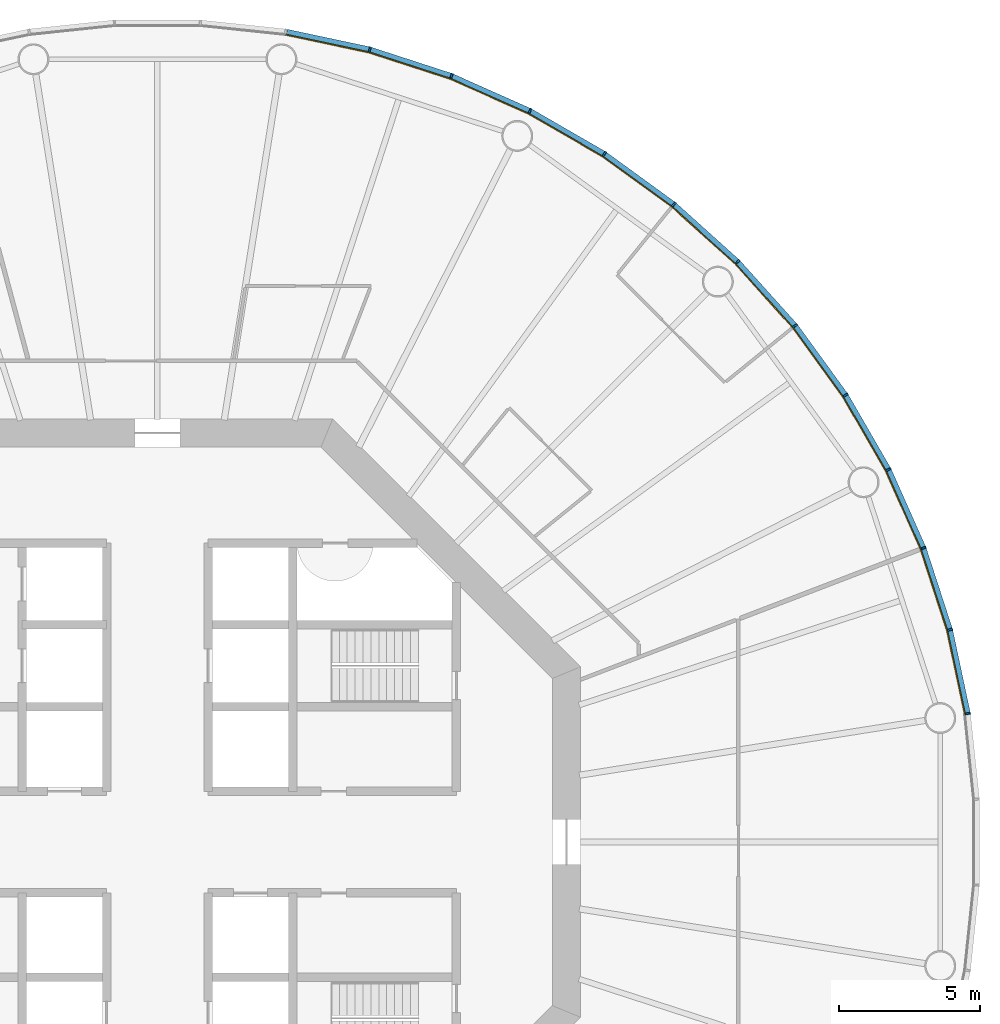
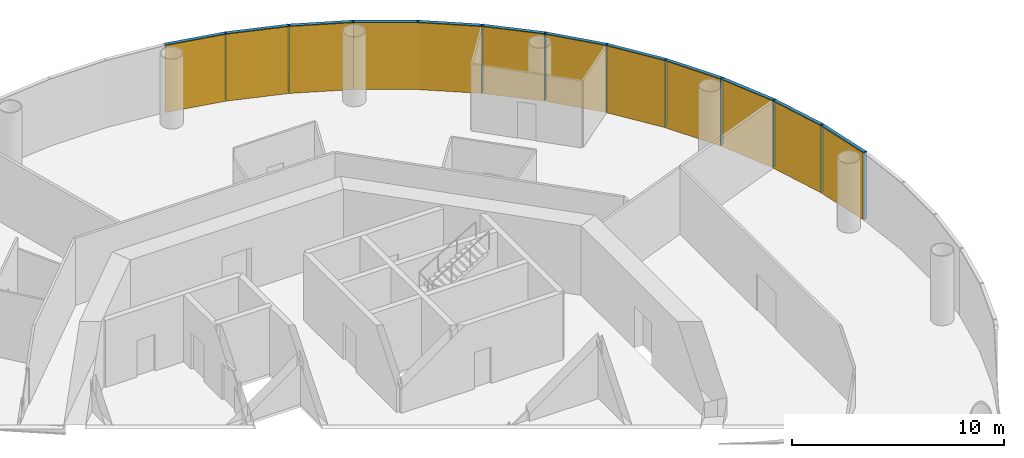
# One storey, part 11 of 12: 24 members, 4 curtain walls.
"""IFC4 building model written with IfcOpenShell, lengths in metres."""

import ifcopenshell
import ifcopenshell.guid

model = None  # the IFC model being written
_history = None  # IfcOwnerHistory: only IFC2X3 demands one
_inside = {}  # id of a spatial element -> (the spatial element, [elements in it])
_under = {}  # id of a project, library or spatial element -> (it, [spatial elements below it])
_declared = {}  # id of a project -> (the project, [libraries it declares])
_typed = {}  # id of a type object -> (the type object, [elements of that type])
_made_of = {}  # id of a material, layer set ... -> (it, [elements and type objects made of it])


def new_model(schema):
    """Start an empty IFC model of exactly this schema.

    Asked for "IFC4X3", IfcOpenShell would pick the latest addendum, in which some entities
    have other attributes; the version numbers below select the first issue.
    IFC2X3 requires an IfcOwnerHistory on every rooted entity: one is made here for all.
    """
    global model, _history
    if schema == "IFC4X3":
        model = ifcopenshell.file(schema_version=(4, 3, 0, 0))
    else:
        model = ifcopenshell.file(schema=schema)
    _inside.clear()
    _under.clear()
    _declared.clear()
    _typed.clear()
    _made_of.clear()
    _history = None
    if model.schema == "IFC2X3":
        org = make("IfcOrganization", Name="unknown")
        user = make(
            "IfcPersonAndOrganization",
            ThePerson=make("IfcPerson", FamilyName="unknown"),
            TheOrganization=org,
        )
        app = make(
            "IfcApplication",
            ApplicationDeveloper=org,
            Version="unknown",
            ApplicationFullName="unknown",
            ApplicationIdentifier="unknown",
        )
        _history = make(
            "IfcOwnerHistory",
            OwningUser=user,
            OwningApplication=app,
            ChangeAction="ADDED",
            CreationDate=0,
        )
    return model


def make(cls, **values):
    """One entity of the class cls with the attributes given. An attribute that is None is left unset."""
    return model.create_entity(
        cls, **{name: value for name, value in values.items() if value is not None}
    )


def rooted(cls, **values):
    """An entity with a GlobalId (a new one), such as an element, a storey or a relation."""
    return make(cls, GlobalId=ifcopenshell.guid.new(), OwnerHistory=_history, **values)


def si_unit(unit_type, name, prefix=None):
    """IfcSIUnit, for example si_unit("LENGTHUNIT", "METRE", prefix="MILLI")."""
    return make("IfcSIUnit", UnitType=unit_type, Prefix=prefix, Name=name)


def assignment(units):
    """IfcUnitAssignment: the units of a project."""
    return None if units is None else make("IfcUnitAssignment", Units=units)


def point(xyz):
    """IfcCartesianPoint."""
    return None if xyz is None else make("IfcCartesianPoint", Coordinates=xyz)


def direction(xyz):
    """IfcDirection."""
    return None if xyz is None else make("IfcDirection", DirectionRatios=xyz)


def frame(location, z_axis=None, x_axis=None):
    """IfcAxis2Placement3D, a coordinate frame: its origin and axes. An axis left out is left unset."""
    return make(
        "IfcAxis2Placement3D",
        Location=point(location),
        Axis=direction(z_axis),
        RefDirection=direction(x_axis),
    )


def frame_2d(location, x_axis=None):
    """IfcAxis2Placement2D, a coordinate frame in the plane: its origin and x axis."""
    return make(
        "IfcAxis2Placement2D", Location=point(location), RefDirection=direction(x_axis)
    )


def origin():
    """The frame at (0, 0, 0) with its axes left unset."""
    return frame((0.0, 0.0, 0.0))


def origin_2d():
    """The frame at (0, 0) in the plane with its x axis left unset."""
    return frame_2d((0.0, 0.0))


def place(relative_to, where):
    """IfcLocalPlacement: puts the frame where relative to a parent placement (None: the world)."""
    return make(
        "IfcLocalPlacement", PlacementRelTo=relative_to, RelativePlacement=where
    )


def context(
    kind, dimensions, precision=None, world=None, true_north=None, identifier=None
):
    """IfcGeometricRepresentationContext, for example the 3D "Model" context."""
    return make(
        "IfcGeometricRepresentationContext",
        ContextIdentifier=identifier,
        ContextType=kind,
        CoordinateSpaceDimension=dimensions,
        Precision=precision,
        WorldCoordinateSystem=world,
        TrueNorth=true_north,
    )


def subcontext(parent, identifier, kind, view, scale=None):
    """IfcGeometricRepresentationSubContext, for example "Body" below "Model"."""
    return make(
        "IfcGeometricRepresentationSubContext",
        ContextIdentifier=identifier,
        ContextType=kind,
        ParentContext=parent,
        TargetScale=scale,
        TargetView=view,
    )


def project(units=None, contexts=None):
    """IfcProject with its units and contexts."""
    return rooted(
        "IfcProject",
        Name="project",
        RepresentationContexts=contexts,
        UnitsInContext=assignment(units),
    )


def spatial(cls, under=None, at=None, **own):
    """A site, building, storey or space (cls), placed at a placement, below another one or the project."""
    s = rooted(cls, ObjectPlacement=at, **own)
    if under is not None:
        _under.setdefault(under.id(), (under, []))[1].append(s)
    return s


def polyline(points):
    """IfcPolyline through the points."""
    return make("IfcPolyline", Points=[point(p) for p in points])


def profile(cls, at=None, kind="AREA", **sizes):
    """A parametric profile (cls). Its sizes go by their IFC names, for example OverallWidth=200.0."""
    return make(cls, ProfileType=kind, Position=at, **sizes)


def rectangle(**sizes):
    """IfcRectangleProfileDef."""
    return profile("IfcRectangleProfileDef", **sizes)


def outline(outer, holes=None, kind="AREA"):
    """IfcArbitraryClosedProfileDef: a profile drawn as a closed curve; with holes, ...WithVoids."""
    if holes is None:
        return make("IfcArbitraryClosedProfileDef", ProfileType=kind, OuterCurve=outer)
    return make(
        "IfcArbitraryProfileDefWithVoids",
        ProfileType=kind,
        OuterCurve=outer,
        InnerCurves=holes,
    )


def extrude(swept, where, along, depth):
    """IfcExtrudedAreaSolid: the profile swept, set in the frame where, extruded along a direction by depth."""
    return make(
        "IfcExtrudedAreaSolid",
        SweptArea=swept,
        Position=where,
        ExtrudedDirection=direction(along),
        Depth=depth,
    )


def shape(context_of_items, identifier, shape_type, items):
    """IfcShapeRepresentation: the items that make up one representation, for example the "Body"."""
    return make(
        "IfcShapeRepresentation",
        ContextOfItems=context_of_items,
        RepresentationIdentifier=identifier,
        RepresentationType=shape_type,
        Items=items,
    )


def material(Name=None, Category=None):
    """IfcMaterial."""
    return make("IfcMaterial", Name=Name, Category=Category)


def layer(
    of_material, thickness, ventilated=None, Name=None, Category=None, Priority=None
):
    """IfcMaterialLayer: one layer of a wall or slab, of a material (None: an air gap)."""
    return make(
        "IfcMaterialLayer",
        Material=of_material,
        LayerThickness=thickness,
        IsVentilated=ventilated,
        Name=Name,
        Category=Category,
        Priority=Priority,
    )


def layer_set(layers, Name=None):
    """IfcMaterialLayerSet."""
    return make("IfcMaterialLayerSet", MaterialLayers=layers, LayerSetName=Name)


def material_profile(
    of_material, cross_section, Name=None, Category=None, Priority=None
):
    """IfcMaterialProfile: a cross section and its material."""
    return make(
        "IfcMaterialProfile",
        Name=Name,
        Material=of_material,
        Profile=cross_section,
        Priority=Priority,
        Category=Category,
    )


def profile_set(profiles, Name=None, composite=None):
    """IfcMaterialProfileSet."""
    return make(
        "IfcMaterialProfileSet",
        Name=Name,
        MaterialProfiles=profiles,
        CompositeProfile=composite,
    )


def made_of(thing, what):
    """Note that an element or type object is made of a material, layer set ...; save() writes the relation."""
    if what is not None:
        _made_of.setdefault(what.id(), (what, []))[1].append(thing)
    return thing


def type_object(cls, material=None, **own):
    """A type object (cls), such as IfcWallType, which elements share."""
    return made_of(rooted(cls, **own), material)


def element(
    cls,
    number,
    at=None,
    inside=None,
    cuts=None,
    type_object=None,
    material=None,
    context=None,
    identifier="Body",
    shape_type=None,
    held_by="IfcProductDefinitionShape",
    body=None,
    shapes=None,
    **own,
):
    """One element of the class cls, such as IfcWall. Its Tag is "e" and its number.

    at: its placement. inside: the storey or other place that contains it. cuts: it is an
    opening in that element (IfcRelVoidsElement). A single representation is given by context,
    identifier, shape_type and body (its items); several are given by shapes. held_by: the class
    of the entity that holds the representations. save() writes the other relations.
    """
    e = rooted(cls, Tag="e%d" % number, ObjectPlacement=at, **own)
    if body is not None:
        shapes = [shape(context, identifier, shape_type, body)]
    if shapes is not None:
        e.Representation = make(held_by, Representations=shapes)
    if inside is not None:
        _inside.setdefault(inside.id(), (inside, []))[1].append(e)
    if cuts is not None:
        rooted(
            "IfcRelVoidsElement", RelatingBuildingElement=cuts, RelatedOpeningElement=e
        )
    if type_object is not None:
        _typed.setdefault(type_object.id(), (type_object, []))[1].append(e)
    return made_of(e, material)


def aggregate(whole, parts):
    """IfcRelAggregates: a whole, such as a stair, and the parts it consists of."""
    return rooted("IfcRelAggregates", RelatingObject=whole, RelatedObjects=parts)


def save(model, path):
    """Write the relations noted so far, then the file.

    IfcRelAggregates (storeys below a building ...), IfcRelContainedInSpatialStructure (elements
    in a storey), IfcRelDefinesByType, IfcRelAssociatesMaterial and IfcRelDeclares: one each for
    every whole, place, type object, material and project.
    """
    for whole, parts in _under.values():
        aggregate(whole, parts)
    for where, things in _inside.values():
        rooted(
            "IfcRelContainedInSpatialStructure",
            RelatedElements=things,
            RelatingStructure=where,
        )
    for kind, things in _typed.values():
        rooted("IfcRelDefinesByType", RelatedObjects=things, RelatingType=kind)
    for what, things in _made_of.values():
        rooted("IfcRelAssociatesMaterial", RelatedObjects=things, RelatingMaterial=what)
    for by, libraries in _declared.values():
        rooted("IfcRelDeclares", RelatingContext=by, RelatedDefinitions=libraries)
    model.write(path)


model = new_model("IFC4")

# Units and contexts
model_context = context("Model", 3, precision=1e-05, world=origin(), true_north=direction((0.0, 1.0)))
body_context = subcontext(model_context, "Body", "Model", "MODEL_VIEW")
ifc_project = project(units=[si_unit("LENGTHUNIT", "METRE"), si_unit("AREAUNIT", "SQUARE_METRE"), si_unit("VOLUMEUNIT", "CUBIC_METRE"), si_unit("PLANEANGLEUNIT", "RADIAN"), si_unit("MASSUNIT", "GRAM", prefix="KILO")], contexts=[model_context])

# Member
ifc_material_1 = material(Name="Anodised aluminium", Category="aluminium")
ifc_material_profile_1 = material_profile(ifc_material_1, rectangle(XDim=0.06494140625, YDim=0.18505859375, at=origin_2d()), Name="Mullion 65 x 185 mm anodised aluminium")
ifc_profile_set_1 = profile_set([ifc_material_profile_1], Name="Anodised aluminium")
member_type_1 = type_object("IfcMemberType", Name="Mullion 65 x 185 mm anodised aluminium", PredefinedType="MULLION", material=ifc_profile_set_1)
site_placement = place(None, origin())
building_placement = place(site_placement, origin())
storey_placement = place(building_placement, frame((0.0, 0.0, 192.0)))
member_1_placement = place(storey_placement, frame((118.734375, 84.551025390625, 0.0), z_axis=(0.0, 0.0, 1.0), x_axis=(-0.15643446504, 0.987688340595, 0.0)))
member_1 = element("IfcMember", 1, at=member_1_placement, type_object=member_type_1, Name="MULLION L44-00", PredefinedType="MULLION", context=body_context, shape_type="SweptSolid", body=[
    extrude(rectangle(XDim=0.06494140625, YDim=0.18505859375, at=origin_2d()), origin(), (0.0, 0.0, 1.0), 3.85009765625),
])

member_2_placement = place(storey_placement, frame((118.101318359375, 87.52978515625, 0.0), z_axis=(0.0, 0.0, 1.0), x_axis=(-0.258819045103, 0.965925826289, 0.0)))
member_2 = element("IfcMember", 2, at=member_2_placement, type_object=member_type_1, Name="MULLION L44-01", PredefinedType="MULLION", context=body_context, shape_type="SweptSolid", body=[
    extrude(rectangle(XDim=0.06494140625, YDim=0.18505859375, at=origin_2d()), origin(), (0.0, 0.0, 1.0), 3.85009765625),
])

member_3_placement = place(storey_placement, frame((117.16015625, 90.42578125, 0.0), z_axis=(0.0, 0.0, 1.0), x_axis=(-0.358367949545, 0.933580426497, 0.0)))
member_3 = element("IfcMember", 3, at=member_3_placement, type_object=member_type_1, Name="MULLION L44-02", PredefinedType="MULLION", context=body_context, shape_type="SweptSolid", body=[
    extrude(rectangle(XDim=0.06494140625, YDim=0.18505859375, at=origin_2d()), origin(), (0.0, 0.0, 1.0), 3.85009765625),
])

member_4_placement = place(storey_placement, frame((115.921630859375, 93.207763671875, 0.0), z_axis=(0.0, 0.0, 1.0), x_axis=(-0.45399049974, 0.891006524188, 0.0)))
member_4 = element("IfcMember", 4, at=member_4_placement, type_object=member_type_1, Name="MULLION L44-03", PredefinedType="MULLION", context=body_context, shape_type="SweptSolid", body=[
    extrude(rectangle(XDim=0.06494140625, YDim=0.18505859375, at=origin_2d()), origin(), (0.0, 0.0, 1.0), 3.85009765625),
])

member_5_placement = place(storey_placement, frame((114.39892578125, 95.844970703125, 0.0), z_axis=(0.0, 0.0, 1.0), x_axis=(-0.544639035015, 0.838670567945, 0.0)))
member_5 = element("IfcMember", 5, at=member_5_placement, type_object=member_type_1, Name="MULLION L44-04", PredefinedType="MULLION", context=body_context, shape_type="SweptSolid", body=[
    extrude(rectangle(XDim=0.06494140625, YDim=0.18505859375, at=origin_2d()), origin(), (0.0, 0.0, 1.0), 3.85009765625),
])

member_6_placement = place(storey_placement, frame((112.609130859375, 98.30859375, 0.0), z_axis=(0.0, 0.0, 1.0), x_axis=(-0.62932039105, 0.777145961457, 0.0)))
member_6 = element("IfcMember", 6, at=member_6_placement, type_object=member_type_1, Name="MULLION L44-05", PredefinedType="MULLION", context=body_context, shape_type="SweptSolid", body=[
    extrude(rectangle(XDim=0.06494140625, YDim=0.18505859375, at=origin_2d()), origin(), (0.0, 0.0, 1.0), 3.85009765625),
])

member_7_placement = place(storey_placement, frame((110.571533203125, 100.571533203125, 0.0), z_axis=(0.0, 0.0, 1.0), x_axis=(-0.707106781187, 0.707106781187, 0.0)))
member_7 = element("IfcMember", 7, at=member_7_placement, type_object=member_type_1, Name="MULLION L44-06", PredefinedType="MULLION", context=body_context, shape_type="SweptSolid", body=[
    extrude(rectangle(XDim=0.06494140625, YDim=0.18505859375, at=origin_2d()), origin(), (0.0, 0.0, 1.0), 3.85009765625),
])

member_8_placement = place(storey_placement, frame((108.30859375, 102.609130859375, 0.0), z_axis=(0.0, 0.0, 1.0), x_axis=(-0.777145961457, 0.62932039105, 0.0)))
member_8 = element("IfcMember", 8, at=member_8_placement, type_object=member_type_1, Name="MULLION L44-07", PredefinedType="MULLION", context=body_context, shape_type="SweptSolid", body=[
    extrude(rectangle(XDim=0.06494140625, YDim=0.18505859375, at=origin_2d()), origin(), (0.0, 0.0, 1.0), 3.85009765625),
])

member_9_placement = place(storey_placement, frame((105.844970703125, 104.39892578125, 0.0), z_axis=(0.0, 0.0, 1.0), x_axis=(-0.838670567945, 0.544639035015, 0.0)))
member_9 = element("IfcMember", 9, at=member_9_placement, type_object=member_type_1, Name="MULLION L44-08", PredefinedType="MULLION", context=body_context, shape_type="SweptSolid", body=[
    extrude(rectangle(XDim=0.06494140625, YDim=0.18505859375, at=origin_2d()), origin(), (0.0, 0.0, 1.0), 3.85009765625),
])

member_10_placement = place(storey_placement, frame((103.207763671875, 105.921630859375, 0.0), z_axis=(0.0, 0.0, 1.0), x_axis=(-0.891006524188, 0.45399049974, 0.0)))
member_10 = element("IfcMember", 10, at=member_10_placement, type_object=member_type_1, Name="MULLION L44-09", PredefinedType="MULLION", context=body_context, shape_type="SweptSolid", body=[
    extrude(rectangle(XDim=0.06494140625, YDim=0.18505859375, at=origin_2d()), origin(), (0.0, 0.0, 1.0), 3.85009765625),
])

member_11_placement = place(storey_placement, frame((100.42578125, 107.16015625, 0.0), z_axis=(0.0, 0.0, 1.0), x_axis=(-0.933580426497, 0.358367949545, 0.0)))
member_11 = element("IfcMember", 11, at=member_11_placement, type_object=member_type_1, Name="MULLION L44-10", PredefinedType="MULLION", context=body_context, shape_type="SweptSolid", body=[
    extrude(rectangle(XDim=0.06494140625, YDim=0.18505859375, at=origin_2d()), origin(), (0.0, 0.0, 1.0), 3.85009765625),
])

member_12_placement = place(storey_placement, frame((97.52978515625, 108.101318359375, 0.0), z_axis=(0.0, 0.0, 1.0), x_axis=(-0.965925826289, 0.258819045103, 0.0)))
member_12 = element("IfcMember", 12, at=member_12_placement, type_object=member_type_1, Name="MULLION L44-11", PredefinedType="MULLION", context=body_context, shape_type="SweptSolid", body=[
    extrude(rectangle(XDim=0.06494140625, YDim=0.18505859375, at=origin_2d()), origin(), (0.0, 0.0, 1.0), 3.85009765625),
])

ifc_material_2 = material(Name="Anodised aluminium", Category="aluminium")
ifc_material_profile_2 = material_profile(ifc_material_2, rectangle(XDim=0.18505859375, YDim=0.175048828125, at=origin_2d()), Name="Transom 175 x 185 mm anodised aluminium")
ifc_profile_set_2 = profile_set([ifc_material_profile_2], Name="Anodised aluminium")
member_type_2 = type_object("IfcMemberType", Name="Transom 175 x 185 mm anodised aluminium", PredefinedType="USERDEFINED", material=ifc_profile_set_2)
member_13_placement = place(storey_placement, frame((118.7265625, 84.587646484375, 3.762451171875), z_axis=(-0.207861704825, 0.97815822425, 0.0), x_axis=(-0.97815822425, -0.207861704825, 0.0)))
member_13 = element("IfcMember", 13, at=member_13_placement, type_object=member_type_2, Name="TRANSOM L44-00", ObjectType="TRANSOM", PredefinedType="USERDEFINED", context=body_context, shape_type="SweptSolid", body=[
    extrude(rectangle(XDim=0.18505859375, YDim=0.175048828125, at=origin_2d()), origin(), (0.0, 0.0, 1.0), 2.970458984375),
])

member_14_placement = place(storey_placement, frame((118.08984375, 87.565185546875, 3.762451171875), z_axis=(-0.30901917063, 0.951055809184, 0.0), x_axis=(-0.951055809184, -0.30901917063, 0.0)))
member_14 = element("IfcMember", 14, at=member_14_placement, type_object=member_type_2, Name="TRANSOM L44-01", ObjectType="TRANSOM", PredefinedType="USERDEFINED", context=body_context, shape_type="SweptSolid", body=[
    extrude(rectangle(XDim=0.18505859375, YDim=0.175048828125, at=origin_2d()), origin(), (0.0, 0.0, 1.0), 2.970703125),
])

member_15_placement = place(storey_placement, frame((117.14501953125, 90.4599609375, 3.762451171875), z_axis=(-0.406687471156, 0.913567348806, 0.0), x_axis=(-0.913567348806, -0.406687471156, 0.0)))
member_15 = element("IfcMember", 15, at=member_15_placement, type_object=member_type_2, Name="TRANSOM L44-02", ObjectType="TRANSOM", PredefinedType="USERDEFINED", context=body_context, shape_type="SweptSolid", body=[
    extrude(rectangle(XDim=0.18505859375, YDim=0.175048828125, at=origin_2d()), origin(), (0.0, 0.0, 1.0), 2.970458984375),
])

member_16_placement = place(storey_placement, frame((115.903076171875, 93.240234375, 3.762451171875), z_axis=(-0.500028367561, 0.866009025146, 0.0), x_axis=(-0.866009025146, -0.500028367561, 0.0)))
member_16 = element("IfcMember", 16, at=member_16_placement, type_object=member_type_2, Name="TRANSOM L44-03", ObjectType="TRANSOM", PredefinedType="USERDEFINED", context=body_context, shape_type="SweptSolid", body=[
    extrude(rectangle(XDim=0.18505859375, YDim=0.175048828125, at=origin_2d()), origin(), (0.0, 0.0, 1.0), 2.970458984375),
])

member_17_placement = place(storey_placement, frame((114.377197265625, 95.875244140625, 3.762451171875), z_axis=(-0.587819781808, 0.808991906087, 0.0), x_axis=(-0.808991906087, -0.587819781808, 0.0)))
member_17 = element("IfcMember", 17, at=member_17_placement, type_object=member_type_2, Name="TRANSOM L44-04", ObjectType="TRANSOM", PredefinedType="USERDEFINED", context=body_context, shape_type="SweptSolid", body=[
    extrude(rectangle(XDim=0.18505859375, YDim=0.175048828125, at=origin_2d()), origin(), (0.0, 0.0, 1.0), 2.970458984375),
])

member_18_placement = place(storey_placement, frame((112.584228515625, 98.33642578125, 3.762451171875), z_axis=(-0.669110027395, 0.743163354343, 0.0), x_axis=(-0.743163354343, -0.669110027395, 0.0)))
member_18 = element("IfcMember", 18, at=member_18_placement, type_object=member_type_2, Name="TRANSOM L44-05", ObjectType="TRANSOM", PredefinedType="USERDEFINED", context=body_context, shape_type="SweptSolid", body=[
    extrude(rectangle(XDim=0.18505859375, YDim=0.175048828125, at=origin_2d()), origin(), (0.0, 0.0, 1.0), 2.970458984375),
])

member_19_placement = place(storey_placement, frame((110.5439453125, 100.5966796875, 3.762451171875), z_axis=(-0.743163354343, 0.669110027395, 0.0), x_axis=(-0.669110027395, -0.743163354343, 0.0)))
member_19 = element("IfcMember", 19, at=member_19_placement, type_object=member_type_2, Name="TRANSOM L44-06", ObjectType="TRANSOM", PredefinedType="USERDEFINED", context=body_context, shape_type="SweptSolid", body=[
    extrude(rectangle(XDim=0.18505859375, YDim=0.175048828125, at=origin_2d()), origin(), (0.0, 0.0, 1.0), 2.970458984375),
])

member_20_placement = place(storey_placement, frame((108.2783203125, 102.631103515625, 3.762451171875), z_axis=(-0.808991906087, 0.587819781808, 0.0), x_axis=(-0.587819781808, -0.808991906087, 0.0)))
member_20 = element("IfcMember", 20, at=member_20_placement, type_object=member_type_2, Name="TRANSOM L44-07", ObjectType="TRANSOM", PredefinedType="USERDEFINED", context=body_context, shape_type="SweptSolid", body=[
    extrude(rectangle(XDim=0.18505859375, YDim=0.175048828125, at=origin_2d()), origin(), (0.0, 0.0, 1.0), 2.970458984375),
])

member_21_placement = place(storey_placement, frame((105.812744140625, 104.417724609375, 3.762451171875), z_axis=(-0.866009025146, 0.500028367561, 0.0), x_axis=(-0.500028367561, -0.866009025146, 0.0)))
member_21 = element("IfcMember", 21, at=member_21_placement, type_object=member_type_2, Name="TRANSOM L44-08", ObjectType="TRANSOM", PredefinedType="USERDEFINED", context=body_context, shape_type="SweptSolid", body=[
    extrude(rectangle(XDim=0.18505859375, YDim=0.175048828125, at=origin_2d()), origin(), (0.0, 0.0, 1.0), 2.970458984375),
])

member_22_placement = place(storey_placement, frame((103.173583984375, 105.93701171875, 3.762451171875), z_axis=(-0.913567348806, 0.406687471156, 0.0), x_axis=(-0.406687471156, -0.913567348806, 0.0)))
member_22 = element("IfcMember", 22, at=member_22_placement, type_object=member_type_2, Name="TRANSOM L44-09", ObjectType="TRANSOM", PredefinedType="USERDEFINED", context=body_context, shape_type="SweptSolid", body=[
    extrude(rectangle(XDim=0.18505859375, YDim=0.175048828125, at=origin_2d()), origin(), (0.0, 0.0, 1.0), 2.970458984375),
])

member_23_placement = place(storey_placement, frame((100.390380859375, 107.171875, 3.762451171875), z_axis=(-0.951055809184, 0.30901917063, 0.0), x_axis=(-0.30901917063, -0.951055809184, 0.0)))
member_23 = element("IfcMember", 23, at=member_23_placement, type_object=member_type_2, Name="TRANSOM L44-10", ObjectType="TRANSOM", PredefinedType="USERDEFINED", context=body_context, shape_type="SweptSolid", body=[
    extrude(rectangle(XDim=0.18505859375, YDim=0.175048828125, at=origin_2d()), origin(), (0.0, 0.0, 1.0), 2.970703125),
])

member_24_placement = place(storey_placement, frame((97.4931640625, 108.109130859375, 3.762451171875), z_axis=(-0.97815822425, 0.207861704825, 0.0), x_axis=(-0.207861704825, -0.97815822425, 0.0)))
member_24 = element("IfcMember", 24, at=member_24_placement, type_object=member_type_2, Name="TRANSOM L44-11", ObjectType="TRANSOM", PredefinedType="USERDEFINED", context=body_context, shape_type="SweptSolid", body=[
    extrude(rectangle(XDim=0.18505859375, YDim=0.175048828125, at=origin_2d()), origin(), (0.0, 0.0, 1.0), 2.970458984375),
])

# Site, building, storey
site = spatial("IfcSite", under=ifc_project, at=site_placement, CompositionType="ELEMENT")
building = spatial("IfcBuilding", under=site, at=building_placement, Name="Entoto Ring Tower", CompositionType="ELEMENT")
storey = spatial("IfcBuildingStorey", under=building, at=storey_placement, Name="L44", CompositionType="ELEMENT", Elevation=192.0)

# Curtain wall
ifc_material_3 = material(Name="Clear low-iron glass", Category="glass")
ifc_layer = layer(ifc_material_3, 0.033935546875)
ifc_layer_set = layer_set([ifc_layer], Name="Clear low-iron glass")
curtain_wall_type = type_object("IfcCurtainWallType", Name="Curtain wall system CW3 glazing 34 mm", PredefinedType="NOTDEFINED", material=ifc_layer_set)
curtain_wall_1_placement = place(storey_placement, origin())
curtain_wall_1 = element("IfcCurtainWall", 25, at=curtain_wall_1_placement, inside=storey, type_object=curtain_wall_type, Name="CW3 L44-01", PredefinedType="NOTDEFINED", context=body_context, shape_type="SweptSolid", body=[
    extrude(outline(polyline([(118.64306640625, 84.53662109375), (118.011962890625, 87.505859375), (117.07373046875, 90.392578125), (115.839111328125, 93.165771484375), (115.808837890625, 93.150146484375), (117.0419921875, 90.38037109375), (117.97900390625, 87.496826171875), (118.609375, 84.53125), (118.64306640625, 84.53662109375)])), origin(), (0.0, 0.0, 1.0), 3.85009765625),
])

aggregate(curtain_wall_1, [member_1, member_2, member_3, member_13, member_14, member_15])

curtain_wall_2_placement = place(storey_placement, origin())
curtain_wall_2 = element("IfcCurtainWall", 26, at=curtain_wall_2_placement, inside=storey, type_object=curtain_wall_type, Name="CW3 L44-02", PredefinedType="NOTDEFINED", context=body_context, shape_type="SweptSolid", body=[
    extrude(outline(polyline([(115.839111328125, 93.165771484375), (114.321533203125, 95.79443359375), (112.537353515625, 98.250244140625), (110.506103515625, 100.506103515625), (110.48193359375, 100.48193359375), (112.5107421875, 98.228759765625), (114.29296875, 95.77587890625), (115.808837890625, 93.150146484375), (115.839111328125, 93.165771484375)])), origin(), (0.0, 0.0, 1.0), 3.85009765625),
])

aggregate(curtain_wall_2, [member_4, member_5, member_6, member_16, member_17, member_18])

curtain_wall_3_placement = place(storey_placement, origin())
curtain_wall_3 = element("IfcCurtainWall", 27, at=curtain_wall_3_placement, inside=storey, type_object=curtain_wall_type, Name="CW3 L44-03", PredefinedType="NOTDEFINED", context=body_context, shape_type="SweptSolid", body=[
    extrude(outline(polyline([(110.506103515625, 100.506103515625), (108.250244140625, 102.537353515625), (105.79443359375, 104.321533203125), (103.165771484375, 105.839111328125), (103.150146484375, 105.808837890625), (105.77587890625, 104.29296875), (108.228759765625, 102.5107421875), (110.48193359375, 100.48193359375), (110.506103515625, 100.506103515625)])), origin(), (0.0, 0.0, 1.0), 3.85009765625),
])

aggregate(curtain_wall_3, [member_7, member_8, member_9, member_19, member_20, member_21])

curtain_wall_4_placement = place(storey_placement, origin())
curtain_wall_4 = element("IfcCurtainWall", 28, at=curtain_wall_4_placement, inside=storey, type_object=curtain_wall_type, Name="CW3 L44-04", PredefinedType="NOTDEFINED", context=body_context, shape_type="SweptSolid", body=[
    extrude(outline(polyline([(103.165771484375, 105.839111328125), (100.392578125, 107.07373046875), (97.505859375, 108.011962890625), (94.53662109375, 108.64306640625), (94.53125, 108.609375), (97.496826171875, 107.97900390625), (100.38037109375, 107.0419921875), (103.150146484375, 105.808837890625), (103.165771484375, 105.839111328125)])), origin(), (0.0, 0.0, 1.0), 3.85009765625),
])

aggregate(curtain_wall_4, [member_10, member_11, member_12, member_22, member_23, member_24])

save(model, "model.ifc")
